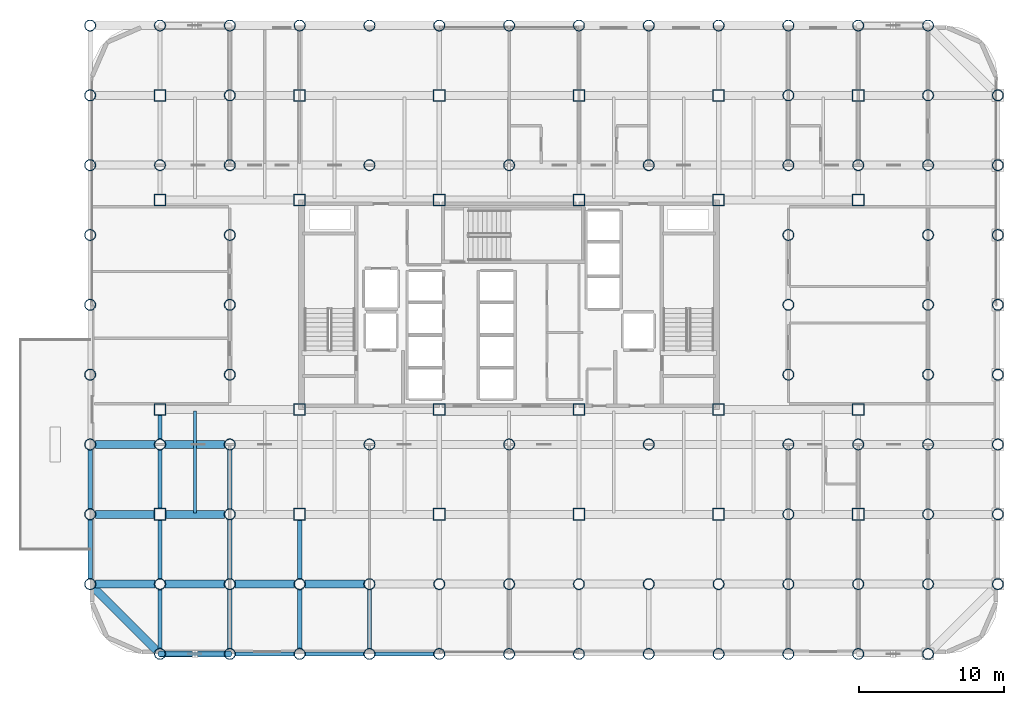
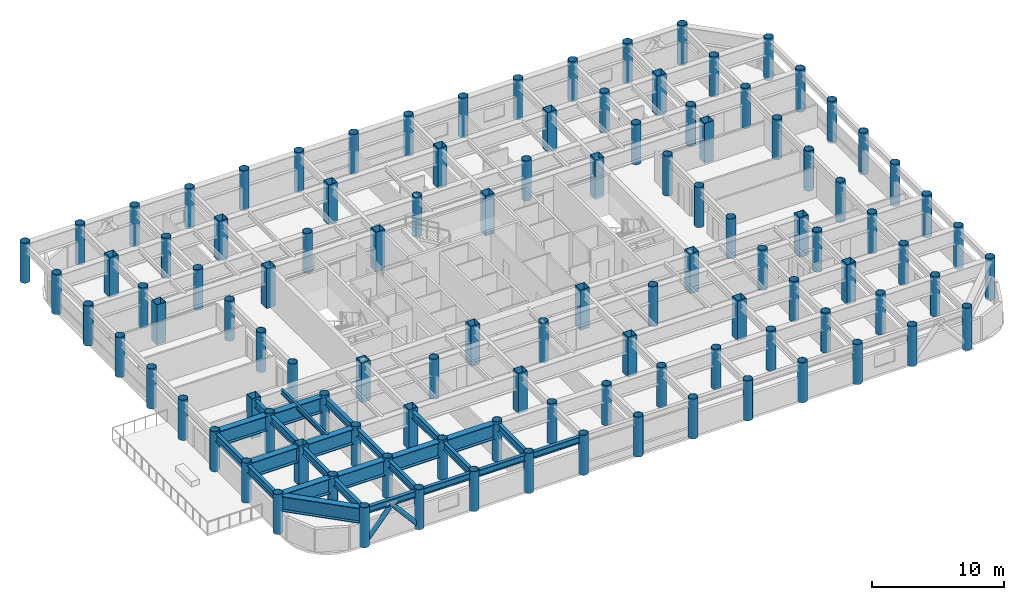
# One storey, part 1 of 22: 108 columns, 26 beams, 2 members.
"""IFC4 building model written with IfcOpenShell, lengths in metres."""

from ifc_helpers import new_model, si_unit, direction, frame, origin, origin_2d, place, context, subcontext, project, spatial, hollow_rectangle, hollow_circle, i_section, extrude, material, material_profile, profile_set, type_object, element, save


model = new_model("IFC4")

# Units and contexts
model_context = context("Model", 3, precision=1e-05, world=origin(), true_north=direction((0.0, 1.0)))
body_context = subcontext(model_context, "Body", "Model", "MODEL_VIEW")
ifc_project = project(units=[si_unit("LENGTHUNIT", "METRE"), si_unit("AREAUNIT", "SQUARE_METRE"), si_unit("VOLUMEUNIT", "CUBIC_METRE"), si_unit("PLANEANGLEUNIT", "RADIAN"), si_unit("MASSUNIT", "GRAM", prefix="KILO")], contexts=[model_context])

# Site, building, storey
site_placement = place(None, origin())
site = spatial("IfcSite", under=ifc_project, at=site_placement, CompositionType="ELEMENT")
building_placement = place(site_placement, origin())
building = spatial("IfcBuilding", under=site, at=building_placement, Name="Kallvorn Hotel Tower", CompositionType="ELEMENT")
storey_placement = place(building_placement, frame((0.0, 0.0, 59.60009765625)))
storey = spatial("IfcBuildingStorey", under=building, at=storey_placement, Name="L13", CompositionType="ELEMENT", Elevation=59.60009765625)

# Columns
ifc_material_1 = material(Name="Structural steel S355J2H", Category="steel")
ifc_material_profile_1 = material_profile(ifc_material_1, hollow_circle(Radius=0.381103515625, WallThickness=0.031982421875, at=origin_2d()), Name="CHS 762x32")
ifc_profile_set_1 = profile_set([ifc_material_profile_1], Name="Structural steel S355J2H")
column_type_1 = type_object("IfcColumnType", Name="COL_CHS_762", PredefinedType="COLUMN", material=ifc_profile_set_1)
for number, where, z_axis, x_axis, name in (
    (1, (-28.800048828125, -19.199951171875, 0.0), (0.0, 0.0, 1.0), (1.0, 0.0, 0.0), "L13 Exoskeleton Column EC01"),
    (2, (-28.800048828125, -14.39990234375, 0.0), (0.0, 0.0, 1.0), (1.0, 0.0, 0.0), "L13 Exoskeleton Column EC02"),
    (3, (-28.800048828125, -9.60009765625, 0.0), (0.0, 0.0, 1.0), (1.0, 0.0, 0.0), "L13 Exoskeleton Column EC03"),
    (4, (-28.800048828125, -4.800048828125, 0.0), (0.0, 0.0, 1.0), (1.0, 0.0, 0.0), "L13 Exoskeleton Column EC04"),
    (5, (-28.800048828125, 0.0, 0.0), (0.0, 0.0, 1.0), (1.0, 0.0, 0.0), "L13 Exoskeleton Column EC05"),
    (6, (-28.800048828125, 4.800048828125, 0.0), (0.0, 0.0, 1.0), (1.0, 0.0, 0.0), "L13 Exoskeleton Column EC06"),
    (7, (-28.800048828125, 9.60009765625, 0.0), (0.0, 0.0, 1.0), (1.0, 0.0, 0.0), "L13 Exoskeleton Column EC07"),
    (8, (-28.800048828125, 14.39990234375, 0.0), (0.0, 0.0, 1.0), (1.0, 0.0, 0.0), "L13 Exoskeleton Column EC08"),
    (9, (-28.800048828125, 19.199951171875, 0.0), (0.0, 0.0, 1.0), (1.0, 0.0, 0.0), "L13 Exoskeleton Column EC09"),
    (10, (-24.0, -24.0, 0.0), (0.0, 0.0, 1.0), (1.0, 0.0, 0.0), "L13 Exoskeleton Column EC10"),
    (11, (-24.0, -19.199951171875, 0.0), (0.0, 0.0, 1.0), (1.0, 0.0, 0.0), "L13 Exoskeleton Column EC11"),
    (12, (-24.0, -9.60009765625, 0.0), (0.0, 0.0, 1.0), (1.0, 0.0, 0.0), "L13 Exoskeleton Column EC12"),
    (13, (-24.0, 9.60009765625, 0.0), (0.0, 0.0, 1.0), (1.0, 0.0, 0.0), "L13 Exoskeleton Column EC13"),
    (14, (-24.0, 19.199951171875, 0.0), (0.0, 0.0, 1.0), (1.0, 0.0, 0.0), "L13 Exoskeleton Column EC14"),
    (15, (-19.199951171875, -24.0, 0.0), (0.0, 0.0, 1.0), (1.0, 0.0, 0.0), "L13 Exoskeleton Column EC15"),
    (16, (-19.199951171875, -19.199951171875, 0.0), (0.0, 0.0, 1.0), (1.0, 0.0, 0.0), "L13 Exoskeleton Column EC16"),
    (17, (-19.199951171875, -14.39990234375, 0.0), (0.0, 0.0, 1.0), (1.0, 0.0, 0.0), "L13 Exoskeleton Column EC17"),
    (18, (-19.199951171875, -9.60009765625, 0.0), (0.0, 0.0, 1.0), (1.0, 0.0, 0.0), "L13 Exoskeleton Column EC18"),
    (19, (-19.199951171875, -4.800048828125, 0.0), (0.0, 0.0, 1.0), (1.0, 0.0, 0.0), "L13 Exoskeleton Column EC19"),
    (20, (-19.199951171875, 0.0, 0.0), (0.0, 0.0, 1.0), (1.0, 0.0, 0.0), "L13 Exoskeleton Column EC20"),
    (21, (-19.199951171875, 4.800048828125, 0.0), (0.0, 0.0, 1.0), (1.0, 0.0, 0.0), "L13 Exoskeleton Column EC21"),
    (22, (-19.199951171875, 9.60009765625, 0.0), (0.0, 0.0, 1.0), (1.0, 0.0, 0.0), "L13 Exoskeleton Column EC22"),
    (23, (-19.199951171875, 14.39990234375, 0.0), (0.0, 0.0, 1.0), (1.0, 0.0, 0.0), "L13 Exoskeleton Column EC23"),
    (24, (-19.199951171875, 19.199951171875, 0.0), (0.0, 0.0, 1.0), (1.0, 0.0, 0.0), "L13 Exoskeleton Column EC24"),
    (25, (-14.39990234375, -24.0, 0.0), (0.0, 0.0, 1.0), (1.0, 0.0, 0.0), "L13 Exoskeleton Column EC25"),
    (26, (-14.39990234375, -19.199951171875, 0.0), (0.0, 0.0, 1.0), (1.0, 0.0, 0.0), "L13 Exoskeleton Column EC26"),
    (27, (-14.39990234375, 19.199951171875, 0.0), (0.0, 0.0, 1.0), (1.0, 0.0, 0.0), "L13 Exoskeleton Column EC27"),
    (28, (-9.60009765625, -24.0, 0.0), (0.0, 0.0, 1.0), (1.0, 0.0, 0.0), "L13 Exoskeleton Column EC28"),
    (29, (-9.60009765625, -19.199951171875, 0.0), (0.0, 0.0, 1.0), (1.0, 0.0, 0.0), "L13 Exoskeleton Column EC29"),
    (30, (-9.60009765625, -9.60009765625, 0.0), (0.0, 0.0, 1.0), (1.0, 0.0, 0.0), "L13 Exoskeleton Column EC30"),
    (31, (-9.60009765625, 9.60009765625, 0.0), (0.0, 0.0, 1.0), (1.0, 0.0, 0.0), "L13 Exoskeleton Column EC31"),
    (32, (-9.60009765625, 19.199951171875, 0.0), (0.0, 0.0, 1.0), (1.0, 0.0, 0.0), "L13 Exoskeleton Column EC32"),
    (33, (-4.800048828125, -24.0, 0.0), (0.0, 0.0, 1.0), (1.0, 0.0, 0.0), "L13 Exoskeleton Column EC33"),
    (34, (-4.800048828125, -19.199951171875, 0.0), (0.0, 0.0, 1.0), (1.0, 0.0, 0.0), "L13 Exoskeleton Column EC34"),
    (35, (-4.800048828125, 19.199951171875, 0.0), (0.0, 0.0, 1.0), (1.0, 0.0, 0.0), "L13 Exoskeleton Column EC35"),
    (36, (0.0, -24.0, 0.0), (0.0, 0.0, 1.0), (1.0, 0.0, 0.0), "L13 Exoskeleton Column EC36"),
    (37, (0.0, -19.199951171875, 0.0), (0.0, 0.0, 1.0), (1.0, 0.0, 0.0), "L13 Exoskeleton Column EC37"),
    (38, (0.0, -9.60009765625, 0.0), (0.0, 0.0, 1.0), (1.0, 0.0, 0.0), "L13 Exoskeleton Column EC38"),
    (39, (0.0, 9.60009765625, 0.0), (0.0, 0.0, 1.0), (1.0, 0.0, 0.0), "L13 Exoskeleton Column EC39"),
    (40, (0.0, 19.199951171875, 0.0), (0.0, 0.0, 1.0), (1.0, 0.0, 0.0), "L13 Exoskeleton Column EC40"),
    (41, (4.800048828125, -24.0, 0.0), (0.0, 0.0, 1.0), (1.0, 0.0, 0.0), "L13 Exoskeleton Column EC41"),
    (42, (4.800048828125, -19.199951171875, 0.0), (0.0, 0.0, 1.0), (1.0, 0.0, 0.0), "L13 Exoskeleton Column EC42"),
    (43, (4.800048828125, 19.199951171875, 0.0), (0.0, 0.0, 1.0), (1.0, 0.0, 0.0), "L13 Exoskeleton Column EC43"),
    (44, (9.60009765625, -24.0, 0.0), (0.0, 0.0, 1.0), (1.0, 0.0, 0.0), "L13 Exoskeleton Column EC44"),
    (45, (9.60009765625, -19.199951171875, 0.0), (0.0, 0.0, 1.0), (1.0, 0.0, 0.0), "L13 Exoskeleton Column EC45"),
    (46, (9.60009765625, -9.60009765625, 0.0), (0.0, 0.0, 1.0), (1.0, 0.0, 0.0), "L13 Exoskeleton Column EC46"),
    (47, (9.60009765625, 9.60009765625, 0.0), (0.0, 0.0, 1.0), (1.0, 0.0, 0.0), "L13 Exoskeleton Column EC47"),
    (48, (9.60009765625, 19.199951171875, 0.0), (0.0, 0.0, 1.0), (1.0, 0.0, 0.0), "L13 Exoskeleton Column EC48"),
    (49, (14.39990234375, -24.0, 0.0), (0.0, 0.0, 1.0), (1.0, 0.0, 0.0), "L13 Exoskeleton Column EC49"),
    (50, (14.39990234375, -19.199951171875, 0.0), (0.0, 0.0, 1.0), (1.0, 0.0, 0.0), "L13 Exoskeleton Column EC50"),
    (51, (14.39990234375, 19.199951171875, 0.0), (0.0, 0.0, 1.0), (1.0, 0.0, 0.0), "L13 Exoskeleton Column EC51"),
    (52, (19.199951171875, -24.0, 0.0), (0.0, 0.0, 1.0), (1.0, 0.0, 0.0), "L13 Exoskeleton Column EC52"),
    (53, (19.199951171875, -19.199951171875, 0.0), (0.0, 0.0, 1.0), (1.0, 0.0, 0.0), "L13 Exoskeleton Column EC53"),
    (54, (19.199951171875, -14.39990234375, 0.0), (0.0, 0.0, 1.0), (1.0, 0.0, 0.0), "L13 Exoskeleton Column EC54"),
    (55, (19.199951171875, -9.60009765625, 0.0), (0.0, 0.0, 1.0), (1.0, 0.0, 0.0), "L13 Exoskeleton Column EC55"),
    (56, (19.199951171875, -4.800048828125, 0.0), (0.0, 0.0, 1.0), (1.0, 0.0, 0.0), "L13 Exoskeleton Column EC56"),
    (57, (19.199951171875, 0.0, 0.0), (0.0, 0.0, 1.0), (1.0, 0.0, 0.0), "L13 Exoskeleton Column EC57"),
    (58, (19.199951171875, 4.800048828125, 0.0), (0.0, 0.0, 1.0), (1.0, 0.0, 0.0), "L13 Exoskeleton Column EC58"),
    (59, (19.199951171875, 9.60009765625, 0.0), (0.0, 0.0, 1.0), (1.0, 0.0, 0.0), "L13 Exoskeleton Column EC59"),
    (60, (19.199951171875, 14.39990234375, 0.0), (0.0, 0.0, 1.0), (1.0, 0.0, 0.0), "L13 Exoskeleton Column EC60"),
    (61, (19.199951171875, 19.199951171875, 0.0), (0.0, 0.0, 1.0), (1.0, 0.0, 0.0), "L13 Exoskeleton Column EC61"),
    (62, (24.0, -24.0, 0.0), (0.0, 0.0, 1.0), (1.0, 0.0, 0.0), "L13 Exoskeleton Column EC62"),
    (63, (24.0, -19.199951171875, 0.0), (0.0, 0.0, 1.0), (1.0, 0.0, 0.0), "L13 Exoskeleton Column EC63"),
    (64, (24.0, -9.60009765625, 0.0), (0.0, 0.0, 1.0), (1.0, 0.0, 0.0), "L13 Exoskeleton Column EC64"),
    (65, (24.0, 9.60009765625, 0.0), (0.0, 0.0, 1.0), (1.0, 0.0, 0.0), "L13 Exoskeleton Column EC65"),
    (66, (24.0, 19.199951171875, 0.0), (0.0, 0.0, 1.0), (1.0, 0.0, 0.0), "L13 Exoskeleton Column EC66"),
):
    element("IfcColumn", number, at=place(storey_placement, frame(where, z_axis=z_axis, x_axis=x_axis)), inside=storey, type_object=column_type_1, Name=name, PredefinedType="COLUMN", context=body_context, shape_type="SweptSolid", body=[
        extrude(hollow_circle(Radius=0.381103515625, WallThickness=0.031982421875, at=origin_2d()), origin(), (0.0, 0.0, 1.0), 3.699951171875),
    ])
column_placement = place(storey_placement, frame((28.800048828125, -24.0, -0.18017578125), z_axis=(0.0, 0.0, 1.0), x_axis=(1.0, 0.0, 0.0)))
element("IfcColumn", 67, at=column_placement, inside=storey, type_object=column_type_1, Name="L13 Exoskeleton Column EC67", PredefinedType="COLUMN", context=body_context, shape_type="SweptSolid", body=[
    extrude(hollow_circle(Radius=0.381103515625, WallThickness=0.031982421875, at=origin_2d()), origin(), (0.0, 0.0, 1.0), 3.880126953125),
])
for number, where, z_axis, x_axis, name in (
    (68, (28.800048828125, -19.199951171875, 0.0), (0.0, 0.0, 1.0), (1.0, 0.0, 0.0), "L13 Exoskeleton Column EC68"),
    (69, (28.800048828125, -14.39990234375, 0.0), (0.0, 0.0, 1.0), (1.0, 0.0, 0.0), "L13 Exoskeleton Column EC69"),
    (70, (28.800048828125, -9.60009765625, 0.0), (0.0, 0.0, 1.0), (1.0, 0.0, 0.0), "L13 Exoskeleton Column EC70"),
    (71, (28.800048828125, -4.800048828125, 0.0), (0.0, 0.0, 1.0), (1.0, 0.0, 0.0), "L13 Exoskeleton Column EC71"),
    (72, (28.800048828125, 0.0, 0.0), (0.0, 0.0, 1.0), (1.0, 0.0, 0.0), "L13 Exoskeleton Column EC72"),
    (73, (28.800048828125, 4.800048828125, 0.0), (0.0, 0.0, 1.0), (1.0, 0.0, 0.0), "L13 Exoskeleton Column EC73"),
    (74, (28.800048828125, 9.60009765625, 0.0), (0.0, 0.0, 1.0), (1.0, 0.0, 0.0), "L13 Exoskeleton Column EC74"),
    (75, (28.800048828125, 14.39990234375, 0.0), (0.0, 0.0, 1.0), (1.0, 0.0, 0.0), "L13 Exoskeleton Column EC75"),
    (76, (28.800048828125, 19.199951171875, 0.0), (0.0, 0.0, 1.0), (1.0, 0.0, 0.0), "L13 Exoskeleton Column EC76"),
):
    element("IfcColumn", number, at=place(storey_placement, frame(where, z_axis=z_axis, x_axis=x_axis)), inside=storey, type_object=column_type_1, Name=name, PredefinedType="COLUMN", context=body_context, shape_type="SweptSolid", body=[
        extrude(hollow_circle(Radius=0.381103515625, WallThickness=0.031982421875, at=origin_2d()), origin(), (0.0, 0.0, 1.0), 3.699951171875),
    ])
for number, where, z_axis, x_axis, name in (
    (77, (33.60009765625, -19.199951171875, -0.18017578125), (0.0, 0.0, 1.0), (1.0, 0.0, 0.0), "L13 Exoskeleton Column EC77"),
    (78, (33.60009765625, -14.39990234375, -0.18017578125), (0.0, 0.0, 1.0), (1.0, 0.0, 0.0), "L13 Exoskeleton Column EC78"),
    (79, (33.60009765625, -9.60009765625, -0.18017578125), (0.0, 0.0, 1.0), (1.0, 0.0, 0.0), "L13 Exoskeleton Column EC79"),
    (80, (33.60009765625, -4.800048828125, -0.18017578125), (0.0, 0.0, 1.0), (1.0, 0.0, 0.0), "L13 Exoskeleton Column EC80"),
    (81, (33.60009765625, 0.0, -0.18017578125), (0.0, 0.0, 1.0), (1.0, 0.0, 0.0), "L13 Exoskeleton Column EC81"),
    (82, (33.60009765625, 4.800048828125, -0.18017578125), (0.0, 0.0, 1.0), (1.0, 0.0, 0.0), "L13 Exoskeleton Column EC82"),
    (83, (33.60009765625, 9.60009765625, -0.18017578125), (0.0, 0.0, 1.0), (1.0, 0.0, 0.0), "L13 Exoskeleton Column EC83"),
    (84, (33.60009765625, 14.39990234375, -0.18017578125), (0.0, 0.0, 1.0), (1.0, 0.0, 0.0), "L13 Exoskeleton Column EC84"),
):
    element("IfcColumn", number, at=place(storey_placement, frame(where, z_axis=z_axis, x_axis=x_axis)), inside=storey, type_object=column_type_1, Name=name, PredefinedType="COLUMN", context=body_context, shape_type="SweptSolid", body=[
        extrude(hollow_circle(Radius=0.381103515625, WallThickness=0.031982421875, at=origin_2d()), origin(), (0.0, 0.0, 1.0), 3.880126953125),
    ])
ifc_material_2 = material(Name="Structural steel S355J2H", Category="steel")
ifc_material_profile_2 = material_profile(ifc_material_2, hollow_rectangle(XDim=0.800048828125, YDim=0.800048828125, WallThickness=0.035888671875, at=origin_2d()), Name="RHS 800x800x36")
ifc_profile_set_2 = profile_set([ifc_material_profile_2], Name="Structural steel S355J2H")
column_type_2 = type_object("IfcColumnType", Name="COL_RHS_800", PredefinedType="COLUMN", material=ifc_profile_set_2)
for number, where, z_axis, x_axis, name in (
    (85, (-24.0, -14.39990234375, 0.0), (0.0, 0.0, 1.0), (1.0, 0.0, 0.0), "L13 Inner Column IC01"),
    (86, (-24.0, -7.199951171875, 0.0), (0.0, 0.0, 1.0), (1.0, 0.0, 0.0), "L13 Inner Column IC02"),
    (87, (-24.0, 7.199951171875, 0.0), (0.0, 0.0, 1.0), (1.0, 0.0, 0.0), "L13 Inner Column IC03"),
    (88, (-24.0, 14.39990234375, 0.0), (0.0, 0.0, 1.0), (1.0, 0.0, 0.0), "L13 Inner Column IC04"),
    (89, (-14.39990234375, -14.39990234375, 0.0), (0.0, 0.0, 1.0), (1.0, 0.0, 0.0), "L13 Inner Column IC05"),
    (90, (-14.39990234375, -7.199951171875, 0.0), (0.0, 0.0, 1.0), (1.0, 0.0, 0.0), "L13 Inner Column IC06"),
    (91, (-14.39990234375, 7.199951171875, 0.0), (0.0, 0.0, 1.0), (1.0, 0.0, 0.0), "L13 Inner Column IC07"),
    (92, (-14.39990234375, 14.39990234375, 0.0), (0.0, 0.0, 1.0), (1.0, 0.0, 0.0), "L13 Inner Column IC08"),
    (93, (-4.800048828125, -14.39990234375, 0.0), (0.0, 0.0, 1.0), (1.0, 0.0, 0.0), "L13 Inner Column IC09"),
    (94, (-4.800048828125, -7.199951171875, 0.0), (0.0, 0.0, 1.0), (1.0, 0.0, 0.0), "L13 Inner Column IC10"),
    (95, (-4.800048828125, 7.199951171875, 0.0), (0.0, 0.0, 1.0), (1.0, 0.0, 0.0), "L13 Inner Column IC11"),
    (96, (-4.800048828125, 14.39990234375, 0.0), (0.0, 0.0, 1.0), (1.0, 0.0, 0.0), "L13 Inner Column IC12"),
    (97, (4.800048828125, -14.39990234375, 0.0), (0.0, 0.0, 1.0), (1.0, 0.0, 0.0), "L13 Inner Column IC13"),
    (98, (4.800048828125, -7.199951171875, 0.0), (0.0, 0.0, 1.0), (1.0, 0.0, 0.0), "L13 Inner Column IC14"),
    (99, (4.800048828125, 7.199951171875, 0.0), (0.0, 0.0, 1.0), (1.0, 0.0, 0.0), "L13 Inner Column IC15"),
    (100, (4.800048828125, 14.39990234375, 0.0), (0.0, 0.0, 1.0), (1.0, 0.0, 0.0), "L13 Inner Column IC16"),
    (101, (14.39990234375, -14.39990234375, 0.0), (0.0, 0.0, 1.0), (1.0, 0.0, 0.0), "L13 Inner Column IC17"),
    (102, (14.39990234375, -7.199951171875, 0.0), (0.0, 0.0, 1.0), (1.0, 0.0, 0.0), "L13 Inner Column IC18"),
    (103, (14.39990234375, 7.199951171875, 0.0), (0.0, 0.0, 1.0), (1.0, 0.0, 0.0), "L13 Inner Column IC19"),
    (104, (14.39990234375, 14.39990234375, 0.0), (0.0, 0.0, 1.0), (1.0, 0.0, 0.0), "L13 Inner Column IC20"),
    (105, (24.0, -14.39990234375, 0.0), (0.0, 0.0, 1.0), (1.0, 0.0, 0.0), "L13 Inner Column IC21"),
    (106, (24.0, -7.199951171875, 0.0), (0.0, 0.0, 1.0), (1.0, 0.0, 0.0), "L13 Inner Column IC22"),
    (107, (24.0, 7.199951171875, 0.0), (0.0, 0.0, 1.0), (1.0, 0.0, 0.0), "L13 Inner Column IC23"),
    (108, (24.0, 14.39990234375, 0.0), (0.0, 0.0, 1.0), (1.0, 0.0, 0.0), "L13 Inner Column IC24"),
):
    element("IfcColumn", number, at=place(storey_placement, frame(where, z_axis=z_axis, x_axis=x_axis)), inside=storey, type_object=column_type_2, Name=name, PredefinedType="COLUMN", context=body_context, shape_type="SweptSolid", body=[
        extrude(hollow_rectangle(XDim=0.800048828125, YDim=0.800048828125, WallThickness=0.035888671875, at=origin_2d()), origin(), (0.0, 0.0, 1.0), 3.699951171875),
    ])

# Beams
ifc_material_3 = material(Name="Structural steel S355JR", Category="steel")
ifc_material_profile_3 = material_profile(ifc_material_3, i_section(OverallWidth=0.300048828125, OverallDepth=0.60009765625, WebThickness=0.015380859375, FlangeThickness=0.030029296875, at=origin_2d()), Name="HE 600 B")
ifc_profile_set_3 = profile_set([ifc_material_profile_3], Name="Structural steel S355JR")
beam_type_1 = type_object("IfcBeamType", Name="BM_HE600B", PredefinedType="SPANDREL", material=ifc_profile_set_3)
beam_1_placement = place(storey_placement, frame((-23.62890625, -24.0, 3.219970703125), z_axis=(1.0, 0.0, 0.0), x_axis=(0.0, 1.0, 0.0)))
element("IfcBeam", 109, at=beam_1_placement, inside=storey, type_object=beam_type_1, Name="L14 Perimeter Spandrel 151", PredefinedType="SPANDREL", context=body_context, shape_type="SweptSolid", body=[
    extrude(i_section(OverallWidth=0.300048828125, OverallDepth=0.60009765625, WebThickness=0.015380859375, FlangeThickness=0.030029296875, at=origin_2d()), origin(), (0.0, 0.0, 1.0), 4.057861328125),
])
for number, where, z_axis, x_axis, name in (
    (110, (-18.8291015625, -24.0, 3.219970703125), (1.0, 0.0, 0.0), (0.0, 1.0, 0.0), "L14 Perimeter Spandrel 152"),
    (111, (-14.029052734375, -24.0, 3.219970703125), (1.0, 0.0, 0.0), (0.0, 1.0, 0.0), "L14 Perimeter Spandrel 153"),
    (112, (-9.22900390625, -24.0, 3.219970703125), (1.0, 0.0, 0.0), (0.0, 1.0, 0.0), "L14 Perimeter Spandrel 154"),
):
    element("IfcBeam", number, at=place(storey_placement, frame(where, z_axis=z_axis, x_axis=x_axis)), inside=storey, type_object=beam_type_1, Name=name, PredefinedType="SPANDREL", context=body_context, shape_type="SweptSolid", body=[
        extrude(i_section(OverallWidth=0.300048828125, OverallDepth=0.60009765625, WebThickness=0.015380859375, FlangeThickness=0.030029296875, at=origin_2d()), origin(), (0.0, 0.0, 1.0), 4.05810546875),
    ])
ifc_material_4 = material(Name="Structural steel S355JR", Category="steel")
ifc_material_profile_4 = material_profile(ifc_material_4, i_section(OverallWidth=0.300048828125, OverallDepth=0.699951171875, WebThickness=0.01708984375, FlangeThickness=0.031982421875, at=origin_2d()), Name="HE 700 B")
ifc_profile_set_4 = profile_set([ifc_material_profile_4], Name="Structural steel S355JR")
beam_type_2 = type_object("IfcBeamType", Name="BM_HE700B", PredefinedType="BEAM", material=ifc_profile_set_4)
for number, where, z_axis, x_axis, name in (
    (113, (-28.800048828125, -18.843994140625, 3.169921875), (0.0, 1.0, 0.0), (-1.0, 0.0, 0.0), "L14 Primary Y-Girder 73"),
    (114, (-28.800048828125, -14.0439453125, 3.169921875), (0.0, 1.0, 0.0), (-1.0, 0.0, 0.0), "L14 Primary Y-Girder 74"),
):
    element("IfcBeam", number, at=place(storey_placement, frame(where, z_axis=z_axis, x_axis=x_axis)), inside=storey, type_object=beam_type_2, Name=name, PredefinedType="BEAM", context=body_context, shape_type="SweptSolid", body=[
        extrude(i_section(OverallWidth=0.300048828125, OverallDepth=0.699951171875, WebThickness=0.01708984375, FlangeThickness=0.031982421875, at=origin_2d()), origin(), (0.0, 0.0, 1.0), 4.087890625),
    ])
beam_2_placement = place(storey_placement, frame((-24.0, -23.64404296875, 3.169921875), z_axis=(0.0, 1.0, 0.0), x_axis=(-1.0, 0.0, 0.0)))
element("IfcBeam", 115, at=beam_2_placement, inside=storey, type_object=beam_type_2, Name="L14 Primary Y-Girder 81", PredefinedType="BEAM", context=body_context, shape_type="SweptSolid", body=[
    extrude(i_section(OverallWidth=0.300048828125, OverallDepth=0.699951171875, WebThickness=0.01708984375, FlangeThickness=0.031982421875, at=origin_2d()), origin(), (0.0, 0.0, 1.0), 4.088134765625),
])
beam_3_placement = place(storey_placement, frame((-24.0, -18.843994140625, 3.169921875), z_axis=(0.0, 1.0, 0.0), x_axis=(-1.0, 0.0, 0.0)))
element("IfcBeam", 116, at=beam_3_placement, inside=storey, type_object=beam_type_2, Name="L14 Primary Y-Girder 82", PredefinedType="BEAM", context=body_context, shape_type="SweptSolid", body=[
    extrude(i_section(OverallWidth=0.300048828125, OverallDepth=0.699951171875, WebThickness=0.01708984375, FlangeThickness=0.031982421875, at=origin_2d()), origin(), (0.0, 0.0, 1.0), 4.069091796875),
])
beam_4_placement = place(storey_placement, frame((-24.0, -14.02490234375, 3.169921875), z_axis=(0.0, 1.0, 0.0), x_axis=(-1.0, 0.0, 0.0)))
element("IfcBeam", 117, at=beam_4_placement, inside=storey, type_object=beam_type_2, Name="L14 Primary Y-Girder 83", PredefinedType="BEAM", context=body_context, shape_type="SweptSolid", body=[
    extrude(i_section(OverallWidth=0.300048828125, OverallDepth=0.699951171875, WebThickness=0.01708984375, FlangeThickness=0.031982421875, at=origin_2d()), origin(), (0.0, 0.0, 1.0), 4.06884765625),
])
beam_5_placement = place(storey_placement, frame((-24.0, -9.243896484375, 3.169921875), z_axis=(0.0, 1.0, 0.0), x_axis=(-1.0, 0.0, 0.0)))
element("IfcBeam", 118, at=beam_5_placement, inside=storey, type_object=beam_type_2, Name="L14 Primary Y-Girder 84", PredefinedType="BEAM", context=body_context, shape_type="SweptSolid", body=[
    extrude(i_section(OverallWidth=0.300048828125, OverallDepth=0.699951171875, WebThickness=0.01708984375, FlangeThickness=0.031982421875, at=origin_2d()), origin(), (0.0, 0.0, 1.0), 1.6689453125),
])
beam_6_placement = place(storey_placement, frame((-19.199951171875, -23.64404296875, 3.169921875), z_axis=(0.0, 1.0, 0.0), x_axis=(-1.0, 0.0, 0.0)))
element("IfcBeam", 119, at=beam_6_placement, inside=storey, type_object=beam_type_2, Name="L14 Primary Y-Girder 88", PredefinedType="BEAM", context=body_context, shape_type="SweptSolid", body=[
    extrude(i_section(OverallWidth=0.300048828125, OverallDepth=0.699951171875, WebThickness=0.01708984375, FlangeThickness=0.031982421875, at=origin_2d()), origin(), (0.0, 0.0, 1.0), 4.088134765625),
])
for number, where, z_axis, x_axis, name in (
    (120, (-19.199951171875, -18.843994140625, 3.169921875), (0.0, 1.0, 0.0), (-1.0, 0.0, 0.0), "L14 Primary Y-Girder 89"),
    (121, (-19.199951171875, -14.0439453125, 3.169921875), (0.0, 1.0, 0.0), (-1.0, 0.0, 0.0), "L14 Primary Y-Girder 90"),
):
    element("IfcBeam", number, at=place(storey_placement, frame(where, z_axis=z_axis, x_axis=x_axis)), inside=storey, type_object=beam_type_2, Name=name, PredefinedType="BEAM", context=body_context, shape_type="SweptSolid", body=[
        extrude(i_section(OverallWidth=0.300048828125, OverallDepth=0.699951171875, WebThickness=0.01708984375, FlangeThickness=0.031982421875, at=origin_2d()), origin(), (0.0, 0.0, 1.0), 4.087890625),
    ])
beam_7_placement = place(storey_placement, frame((-14.39990234375, -23.64404296875, 3.169921875), z_axis=(0.0, 1.0, 0.0), x_axis=(-1.0, 0.0, 0.0)))
element("IfcBeam", 122, at=beam_7_placement, inside=storey, type_object=beam_type_2, Name="L14 Primary Y-Girder 97", PredefinedType="BEAM", context=body_context, shape_type="SweptSolid", body=[
    extrude(i_section(OverallWidth=0.300048828125, OverallDepth=0.699951171875, WebThickness=0.01708984375, FlangeThickness=0.031982421875, at=origin_2d()), origin(), (0.0, 0.0, 1.0), 4.088134765625),
])
beam_8_placement = place(storey_placement, frame((-14.39990234375, -18.843994140625, 3.169921875), z_axis=(0.0, 1.0, 0.0), x_axis=(-1.0, 0.0, 0.0)))
element("IfcBeam", 123, at=beam_8_placement, inside=storey, type_object=beam_type_2, Name="L14 Primary Y-Girder 98", PredefinedType="BEAM", context=body_context, shape_type="SweptSolid", body=[
    extrude(i_section(OverallWidth=0.300048828125, OverallDepth=0.699951171875, WebThickness=0.01708984375, FlangeThickness=0.031982421875, at=origin_2d()), origin(), (0.0, 0.0, 1.0), 4.069091796875),
])
beam_9_placement = place(storey_placement, frame((-9.60009765625, -23.64404296875, 3.169921875), z_axis=(0.0, 1.0, 0.0), x_axis=(-1.0, 0.0, 0.0)))
element("IfcBeam", 124, at=beam_9_placement, inside=storey, type_object=beam_type_2, Name="L14 Primary Y-Girder 102", PredefinedType="BEAM", context=body_context, shape_type="SweptSolid", body=[
    extrude(i_section(OverallWidth=0.300048828125, OverallDepth=0.699951171875, WebThickness=0.01708984375, FlangeThickness=0.031982421875, at=origin_2d()), origin(), (0.0, 0.0, 1.0), 4.088134765625),
])
ifc_material_5 = material(Name="Structural steel S355JR", Category="steel")
ifc_material_profile_5 = material_profile(ifc_material_5, i_section(OverallWidth=0.18994140625, OverallDepth=0.449951171875, WebThickness=0.009521484375, FlangeThickness=0.0146484375, at=origin_2d()), Name="IPE 450")
ifc_profile_set_5 = profile_set([ifc_material_profile_5], Name="Structural steel S355JR")
beam_type_3 = type_object("IfcBeamType", Name="BM_IPE450", PredefinedType="JOIST", material=ifc_profile_set_5)
beam_10_placement = place(storey_placement, frame((-21.60009765625, -14.300048828125, 3.294921875), z_axis=(0.0, 1.0, 0.0), x_axis=(-1.0, 0.0, 0.0)))
element("IfcBeam", 125, at=beam_10_placement, inside=storey, type_object=beam_type_3, Name="L14 Secondary Composite Joist 192", PredefinedType="JOIST", context=body_context, shape_type="SweptSolid", body=[
    extrude(i_section(OverallWidth=0.18994140625, OverallDepth=0.449951171875, WebThickness=0.009521484375, FlangeThickness=0.0146484375, at=origin_2d()), origin(), (0.0, 0.0, 1.0), 7.0),
])
ifc_material_6 = material(Name="Structural steel S355JR", Category="steel")
ifc_material_profile_6 = material_profile(ifc_material_6, i_section(OverallWidth=0.550048828125, OverallDepth=1.39990234375, WebThickness=0.02490234375, FlangeThickness=0.044921875, at=origin_2d()), Name="PG 1400x550x25x45")
ifc_profile_set_6 = profile_set([ifc_material_profile_6], Name="Structural steel S355JR")
beam_type_4 = type_object("IfcBeamType", Name="BM_PG_1400", PredefinedType="BEAM", material=ifc_profile_set_6)
for number, where, z_axis, x_axis, name in (
    (126, (-28.444091796875, -19.199951171875, 2.81982421875), (1.0, 0.0, 0.0), (0.0, 1.0, 0.0), "L14 Primary X-Girder 01"),
    (127, (-23.64404296875, -19.199951171875, 2.81982421875), (1.0, 0.0, 0.0), (0.0, 1.0, 0.0), "L14 Primary X-Girder 02"),
):
    element("IfcBeam", number, at=place(storey_placement, frame(where, z_axis=z_axis, x_axis=x_axis)), inside=storey, type_object=beam_type_4, Name=name, PredefinedType="BEAM", context=body_context, shape_type="SweptSolid", body=[
        extrude(i_section(OverallWidth=0.550048828125, OverallDepth=1.39990234375, WebThickness=0.02490234375, FlangeThickness=0.044921875, at=origin_2d()), origin(), (0.0, 0.0, 1.0), 4.088134765625),
    ])
for number, where, z_axis, x_axis, name in (
    (128, (-18.843994140625, -19.199951171875, 2.81982421875), (1.0, 0.0, 0.0), (0.0, 1.0, 0.0), "L14 Primary X-Girder 03"),
    (129, (-14.0439453125, -19.199951171875, 2.81982421875), (1.0, 0.0, 0.0), (0.0, 1.0, 0.0), "L14 Primary X-Girder 04"),
):
    element("IfcBeam", number, at=place(storey_placement, frame(where, z_axis=z_axis, x_axis=x_axis)), inside=storey, type_object=beam_type_4, Name=name, PredefinedType="BEAM", context=body_context, shape_type="SweptSolid", body=[
        extrude(i_section(OverallWidth=0.550048828125, OverallDepth=1.39990234375, WebThickness=0.02490234375, FlangeThickness=0.044921875, at=origin_2d()), origin(), (0.0, 0.0, 1.0), 4.087890625),
    ])
for number, where, z_axis, x_axis, name in (
    (130, (-28.444091796875, -14.39990234375, 2.81982421875), (1.0, 0.0, 0.0), (0.0, 1.0, 0.0), "L14 Primary X-Girder 14"),
    (131, (-23.625, -14.39990234375, 2.81982421875), (1.0, 0.0, 0.0), (0.0, 1.0, 0.0), "L14 Primary X-Girder 15"),
):
    element("IfcBeam", number, at=place(storey_placement, frame(where, z_axis=z_axis, x_axis=x_axis)), inside=storey, type_object=beam_type_4, Name=name, PredefinedType="BEAM", context=body_context, shape_type="SweptSolid", body=[
        extrude(i_section(OverallWidth=0.550048828125, OverallDepth=1.39990234375, WebThickness=0.02490234375, FlangeThickness=0.044921875, at=origin_2d()), origin(), (0.0, 0.0, 1.0), 4.069091796875),
    ])
for number, where, z_axis, x_axis, name in (
    (132, (-28.444091796875, -9.60009765625, 2.81982421875), (1.0, 0.0, 0.0), (0.0, 1.0, 0.0), "L14 Primary X-Girder 24"),
    (133, (-23.64404296875, -9.60009765625, 2.81982421875), (1.0, 0.0, 0.0), (0.0, 1.0, 0.0), "L14 Primary X-Girder 25"),
):
    element("IfcBeam", number, at=place(storey_placement, frame(where, z_axis=z_axis, x_axis=x_axis)), inside=storey, type_object=beam_type_4, Name=name, PredefinedType="BEAM", context=body_context, shape_type="SweptSolid", body=[
        extrude(i_section(OverallWidth=0.550048828125, OverallDepth=1.39990234375, WebThickness=0.02490234375, FlangeThickness=0.044921875, at=origin_2d()), origin(), (0.0, 0.0, 1.0), 4.088134765625),
    ])
beam_11_placement = place(storey_placement, frame((-28.53759765625, -19.46240234375, 2.81982421875), z_axis=(0.707106781187, -0.707106781187, 0.0), x_axis=(0.707106781187, 0.707106781187, 0.0)))
element("IfcBeam", 134, at=beam_11_placement, inside=storey, type_object=beam_type_4, Name="L14 Rounded Corner Tie Beam 189", PredefinedType="BEAM", context=body_context, shape_type="SweptSolid", body=[
    extrude(i_section(OverallWidth=0.550048828125, OverallDepth=1.39990234375, WebThickness=0.02490234375, FlangeThickness=0.044921875, at=origin_2d()), origin(), (0.0, 0.0, 1.0), 6.04638671875),
])

# Members
ifc_material_7 = material(Name="Structural steel S355J2H", Category="steel")
ifc_material_profile_7 = material_profile(ifc_material_7, hollow_circle(Radius=0.203125, WallThickness=0.01611328125, at=origin_2d()), Name="CHS 406.4x16")
ifc_profile_set_7 = profile_set([ifc_material_profile_7], Name="Structural steel S355J2H")
member_type = type_object("IfcMemberType", Name="MBR_EXO_CHS406", PredefinedType="BRACE", material=ifc_profile_set_7)
for number, where, z_axis, x_axis, name in (
    (135, (-23.98681640625, -24.0, 0.195068359375), (0.65346062529, 0.0, 0.756960508346), (0.0, 1.0, 0.0), "L13 Exoskeleton K-Brace S1A"),
    (136, (-19.213134765625, -24.0, 0.195068359375), (-0.65346062529, 0.0, 0.756960508346), (0.0, -1.0, 0.0), "L13 Exoskeleton K-Brace S1B"),
):
    element("IfcMember", number, at=place(storey_placement, frame(where, z_axis=z_axis, x_axis=x_axis)), inside=storey, type_object=member_type, Name=name, PredefinedType="BRACE", context=body_context, shape_type="SweptSolid", body=[
        extrude(hollow_circle(Radius=0.203125, WallThickness=0.01611328125, at=origin_2d()), origin(), (0.0, 0.0, 1.0), 3.632568359375),
    ])

save(model, "model.ifc")
